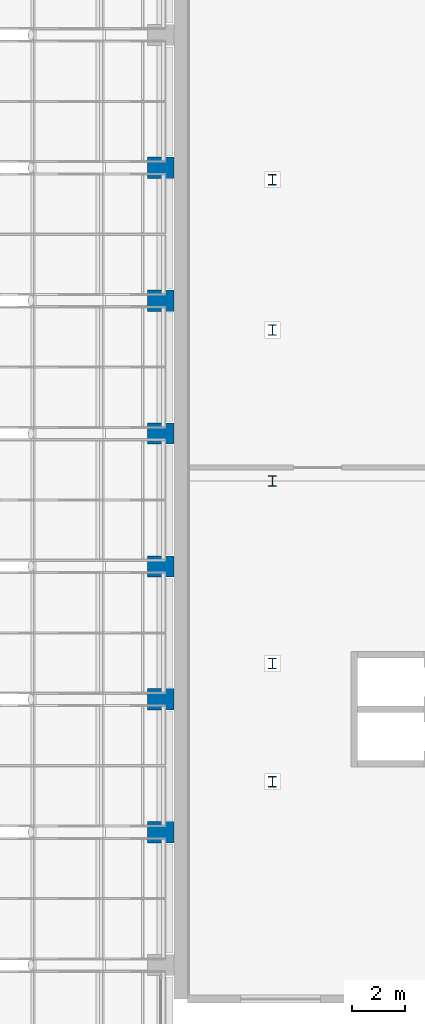
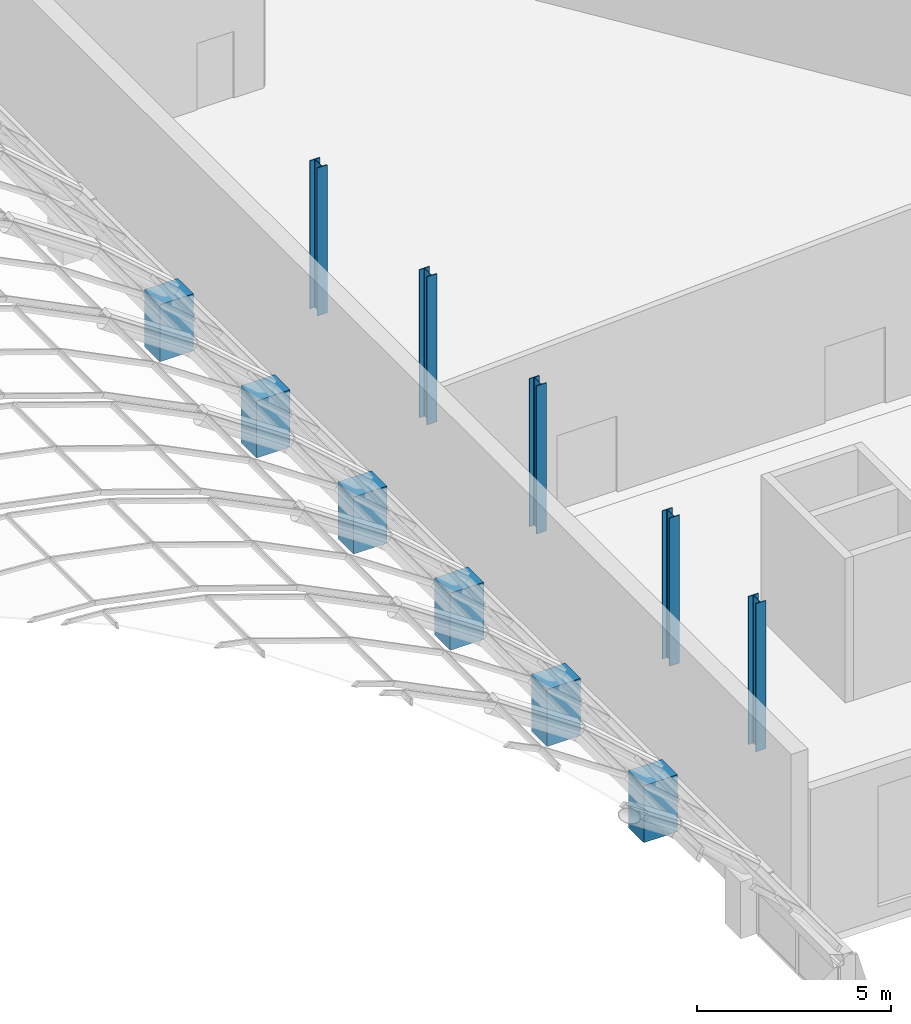
# One storey, part 23 of 182: 11 columns.
"""IFC4 building model written with IfcOpenShell, lengths in metres."""

from ifc_helpers import new_model, si_unit, direction, frame, origin, origin_2d, place, context, subcontext, project, spatial, rectangle, i_section, extrude, material, material_profile, profile_set, type_object, element, save


model = new_model("IFC4")

# Units and contexts
model_context = context("Model", 3, precision=1e-05, world=origin(), true_north=direction((0.0, 1.0)))
body_context = subcontext(model_context, "Body", "Model", "MODEL_VIEW")
ifc_project = project(units=[si_unit("LENGTHUNIT", "METRE"), si_unit("AREAUNIT", "SQUARE_METRE"), si_unit("VOLUMEUNIT", "CUBIC_METRE"), si_unit("PLANEANGLEUNIT", "RADIAN"), si_unit("MASSUNIT", "GRAM", prefix="KILO")], contexts=[model_context])

# Site, building, storey
site_placement = place(None, origin())
site = spatial("IfcSite", under=ifc_project, at=site_placement, CompositionType="ELEMENT")
building_placement = place(site_placement, origin())
building = spatial("IfcBuilding", under=site, at=building_placement, Name="Okhra Congress Centre", CompositionType="ELEMENT")
storey_placement = place(building_placement, frame((0.0, 0.0, 7.199951171875)))
storey = spatial("IfcBuildingStorey", under=building, at=storey_placement, Name="L01", CompositionType="ELEMENT", Elevation=7.199951171875)

# Columns
ifc_material_1 = material(Name="Steel S355J2", Category="steel")
ifc_material_profile_1 = material_profile(ifc_material_1, i_section(OverallWidth=0.300048828125, OverallDepth=0.39990234375, WebThickness=0.013427734375, FlangeThickness=0.02392578125, FilletRadius=0.027099609375, at=origin_2d()), Name="HE 400 B")
ifc_profile_set_1 = profile_set([ifc_material_profile_1], Name="Steel S355J2")
column_type_1 = type_object("IfcColumnType", Name="HE 400 B", PredefinedType="COLUMN", material=ifc_profile_set_1)
for number, where, z_axis, x_axis, name in (
    (1, (193.199951171875, 157.89990234375, 0.0), (0.0, 0.0, 1.0), (1.0, 0.0, 0.0), "Foyer roof column 1"),
    (2, (193.199951171875, 162.35009765625, 0.0), (0.0, 0.0, 1.0), (1.0, 0.0, 0.0), "Foyer roof column 2"),
    (3, (193.199951171875, 169.219970703125, 0.0), (0.0, 0.0, 1.0), (1.0, 0.0, 0.0), "Foyer roof column 3"),
    (4, (193.199951171875, 174.889892578125, 0.0), (0.0, 0.0, 1.0), (1.0, 0.0, 0.0), "Foyer roof column 4"),
    (5, (193.199951171875, 180.550048828125, 0.0), (0.0, 0.0, 1.0), (1.0, 0.0, 0.0), "Foyer roof column 5"),
):
    element("IfcColumn", number, at=place(storey_placement, frame(where, z_axis=z_axis, x_axis=x_axis)), inside=storey, type_object=column_type_1, Name=name, PredefinedType="COLUMN", context=body_context, shape_type="SweptSolid", body=[
        extrude(i_section(OverallWidth=0.300048828125, OverallDepth=0.39990234375, WebThickness=0.013427734375, FlangeThickness=0.02392578125, FilletRadius=0.027099609375, at=origin_2d()), origin(), (0.0, 0.0, 1.0), 4.667724609375),
    ])
ifc_material_2 = material(Name="Concrete C40/50", Category="concrete")
ifc_material_profile_2 = material_profile(ifc_material_2, rectangle(XDim=1.0, YDim=0.800048828125, at=origin_2d()), Name="RC 1000x800")
ifc_profile_set_2 = profile_set([ifc_material_profile_2], Name="Concrete C40/50")
column_type_2 = type_object("IfcColumnType", Name="RC pier 1000x800 C40/50", PredefinedType="COLUMN", material=ifc_profile_set_2)
for number, where, z_axis, x_axis, name in (
    (6, (189.0, 156.0, 0.0), (0.0, 0.0, 1.0), (1.0, 0.0, 0.0), "WG.COL.L01.pier-E16"),
    (7, (189.0, 161.0, 0.0), (0.0, 0.0, 1.0), (1.0, 0.0, 0.0), "WG.COL.L01.pier-E17"),
    (8, (189.0, 166.0, 0.0), (0.0, 0.0, 1.0), (1.0, 0.0, 0.0), "WG.COL.L01.pier-E18"),
    (9, (189.0, 171.0, 0.0), (0.0, 0.0, 1.0), (1.0, 0.0, 0.0), "WG.COL.L01.pier-E19"),
    (10, (189.0, 176.0, 0.0), (0.0, 0.0, 1.0), (1.0, 0.0, 0.0), "WG.COL.L01.pier-E20"),
    (11, (189.0, 181.0, 0.0), (0.0, 0.0, 1.0), (1.0, 0.0, 0.0), "WG.COL.L01.pier-E21"),
):
    element("IfcColumn", number, at=place(storey_placement, frame(where, z_axis=z_axis, x_axis=x_axis)), inside=storey, type_object=column_type_2, Name=name, PredefinedType="COLUMN", context=body_context, shape_type="SweptSolid", body=[
        extrude(rectangle(XDim=1.0, YDim=0.800048828125, at=origin_2d()), origin(), (0.0, 0.0, 1.0), 1.800048828125),
    ])

save(model, "model.ifc")
